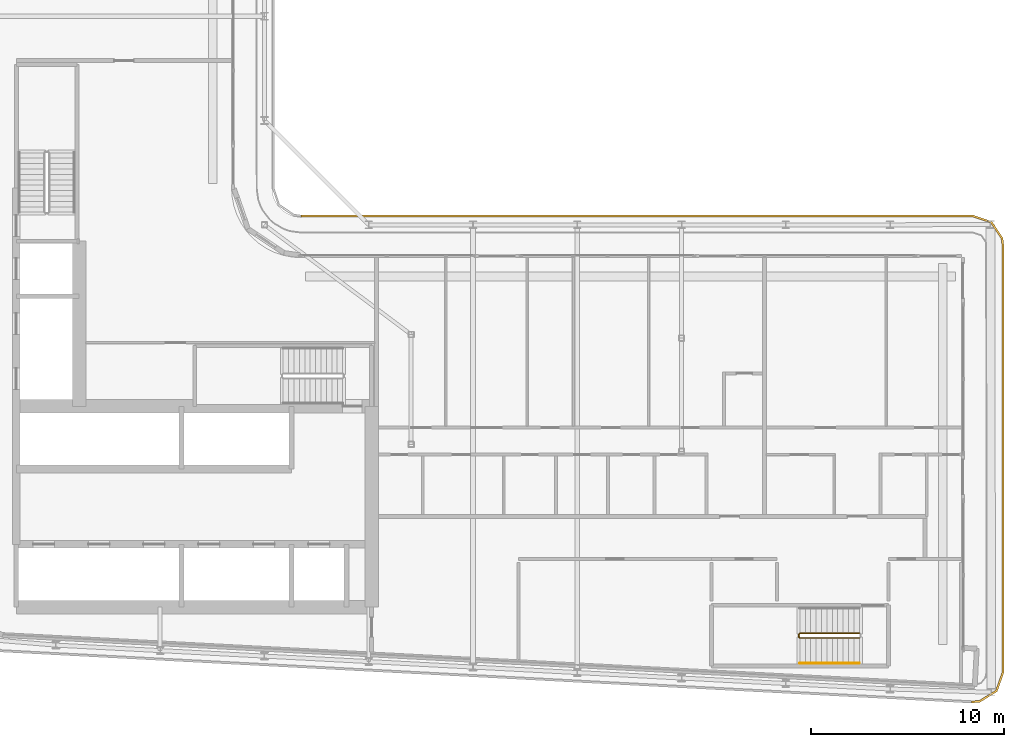
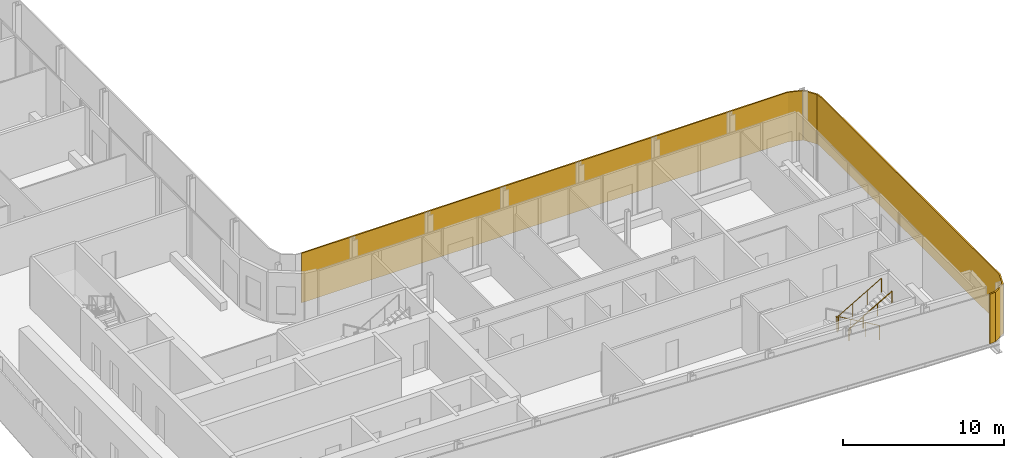
# One storey, part 17 of 21: 2 railings, 1 shading device.
"""IFC4 building model written with IfcOpenShell, lengths in metres."""

from ifc_helpers import new_model, si_unit, direction, frame, origin, origin_2d, place, context, subcontext, project, spatial, polyline, circle, outline, extrude, material, layer, layer_set, type_object, element, save


model = new_model("IFC4")

# Units and contexts
model_context = context("Model", 3, precision=1e-05, world=origin(), true_north=direction((0.0, 1.0)))
body_context = subcontext(model_context, "Body", "Model", "MODEL_VIEW")
ifc_project = project(units=[si_unit("LENGTHUNIT", "METRE"), si_unit("AREAUNIT", "SQUARE_METRE"), si_unit("VOLUMEUNIT", "CUBIC_METRE"), si_unit("PLANEANGLEUNIT", "RADIAN"), si_unit("MASSUNIT", "GRAM", prefix="KILO")], contexts=[model_context])

# Site, building, storey
site_placement = place(None, origin())
site = spatial("IfcSite", under=ifc_project, at=site_placement, CompositionType="ELEMENT")
building_placement = place(site_placement, origin())
building = spatial("IfcBuilding", under=site, at=building_placement, Name="Kheshtan School and Residences Tower", CompositionType="ELEMENT")
storey_placement = place(building_placement, frame((0.0, 0.0, 224.0)))
storey = spatial("IfcBuildingStorey", under=building, at=storey_placement, Name="L52", CompositionType="ELEMENT", Elevation=224.0)

# Shading device
ifc_material_1 = material(Name="Terracotta lattice, extruded ceramic", Category="masonry")
ifc_layer = layer(ifc_material_1, 0.10009765625)
ifc_layer_set = layer_set([ifc_layer], Name="Loggia screen, terracotta lattice")
shading_device_type = type_object("IfcShadingDeviceType", Name="Loggia screen, terracotta lattice", PredefinedType="USERDEFINED", material=ifc_layer_set)
shading_device_placement = place(storey_placement, origin())
element("IfcShadingDevice", 1, at=shading_device_placement, inside=storey, type_object=shading_device_type, Name="Screen L52 2", ObjectType="SCREEN", PredefinedType="USERDEFINED", context=body_context, shape_type="SweptSolid", body=[
    extrude(outline(polyline([(49.5, 46.0), (84.300048828125, 46.0), (85.212890625, 45.68994140625), (85.7490234375, 44.887939453125), (85.800048828125, 44.5), (85.800048828125, 22.43408203125), (85.469970703125, 21.4951171875), (84.6240234375, 20.968994140625), (84.220947265625, 20.93603515625), (84.22900390625, 20.8359375), (84.656005859375, 20.87109375), (85.552978515625, 21.428955078125), (85.89990234375, 22.4169921875), (85.89990234375, 44.507080078125), (85.844970703125, 44.924072265625), (85.277099609375, 45.77392578125), (84.31689453125, 46.10009765625), (49.5, 46.10009765625), (49.5, 46.0)])), origin(), (0.0, 0.0, 1.0), 3.75),
])

# Railings
ifc_material_2 = material(Name="Stainless steel balustrade", Category="steel")
railing_type_1 = type_object("IfcRailingType", Name="Stair guard 1100", PredefinedType="GUARDRAIL", material=ifc_material_2)
railing_1_placement = place(storey_placement, frame((78.409912109375, 24.449951171875, 0.16259765625)))
element("IfcRailing", 2, at=railing_1_placement, inside=storey, type_object=railing_type_1, Name="L52 ST5 stair guard 1", PredefinedType="GUARDRAIL", context=body_context, shape_type="SweptSolid", body=[
    extrude(circle(Radius=0.02392578125, at=origin_2d()), frame((0.0, 0.0, 1.076171875), z_axis=(-0.864903211148, 0.0, 0.501938676878), x_axis=(0.0, -1.0, 0.0)), (0.0, 0.0, 1.0), 3.560791015625),
    extrude(circle(Radius=0.02392578125, at=origin_2d()), frame((-3.079833984375, 0.0, 2.86328125), z_axis=(-0.707106781187, -0.707106781187, 0.0), x_axis=(0.707106781187, -0.707106781187, 0.0)), (0.0, 0.0, 1.0), 0.07080078125),
    extrude(circle(Radius=0.02392578125, at=origin_2d()), frame((-3.1298828125, -0.050048828125, 2.86328125), z_axis=(0.0, -1.0, 0.0), x_axis=(1.0, 0.0, 0.0)), (0.0, 0.0, 1.0), 0.14990234375),
    extrude(circle(Radius=0.02392578125, at=origin_2d()), frame((-3.1298828125, -0.199951171875, 2.86328125), z_axis=(0.282227285176, -0.282227285176, 0.916894497205), x_axis=(0.707106781187, 0.707106781187, 0.0)), (0.0, 0.0, 1.0), 0.17724609375),
    extrude(circle(Radius=0.02392578125, at=origin_2d()), frame((-3.079833984375, -0.25, 3.02587890625), z_axis=(0.864903211148, 0.0, 0.501938676878), x_axis=(0.0, 1.0, 0.0)), (0.0, 0.0, 1.0), 3.560791015625),
    extrude(circle(Radius=0.02099609375, at=origin_2d()), origin(), (0.0, 0.0, 1.0), 1.052001953125),
    extrude(circle(Radius=0.02099609375, at=origin_2d()), frame((-1.026611328125, 0.0, 0.595703125)), (0.0, 0.0, 1.0), 1.052001953125),
    extrude(circle(Radius=0.02099609375, at=origin_2d()), frame((-2.05322265625, 0.0, 1.191650390625)), (0.0, 0.0, 1.0), 1.052001953125),
    extrude(circle(Radius=0.02099609375, at=origin_2d()), frame((-3.079833984375, 0.0, 1.787353515625)), (0.0, 0.0, 1.0), 1.052001953125),
    extrude(circle(Radius=0.02099609375, at=origin_2d()), frame((-3.1298828125, -0.050048828125, 1.787353515625)), (0.0, 0.0, 1.0), 1.052001953125),
    extrude(circle(Radius=0.02099609375, at=origin_2d()), frame((-3.1298828125, -0.199951171875, 1.787353515625)), (0.0, 0.0, 1.0), 1.052001953125),
    extrude(circle(Radius=0.02099609375, at=origin_2d()), frame((-3.079833984375, -0.25, 1.949951171875)), (0.0, 0.0, 1.0), 1.052001953125),
    extrude(circle(Radius=0.02099609375, at=origin_2d()), frame((-2.05322265625, -0.25, 2.545654296875)), (0.0, 0.0, 1.0), 1.052001953125),
    extrude(circle(Radius=0.02099609375, at=origin_2d()), frame((-1.026611328125, -0.25, 3.1416015625)), (0.0, 0.0, 1.0), 1.052001953125),
    extrude(circle(Radius=0.02099609375, at=origin_2d()), frame((0.0, -0.25, 3.7373046875)), (0.0, 0.0, 1.0), 1.052001953125),
])
ifc_material_3 = material(Name="Stainless steel handrail", Category="steel")
railing_type_2 = type_object("IfcRailingType", Name="Stair handrail 900", PredefinedType="HANDRAIL", material=ifc_material_3)
railing_2_placement = place(storey_placement, frame((75.330078125, 22.89990234375, 2.112548828125)))
element("IfcRailing", 3, at=railing_2_placement, inside=storey, type_object=railing_type_2, Name="L52 ST5 stair handrail 2", PredefinedType="HANDRAIL", context=body_context, shape_type="SweptSolid", body=[
    extrude(circle(Radius=0.02392578125, at=origin_2d()), frame((0.0, 0.0, 0.8759765625), z_axis=(0.864903211148, 0.0, 0.501938676878), x_axis=(0.0, 1.0, 0.0)), (0.0, 0.0, 1.0), 3.560791015625),
    extrude(circle(Radius=0.02099609375, at=origin_2d()), origin(), (0.0, 0.0, 1.0), 0.851806640625),
    extrude(circle(Radius=0.02099609375, at=origin_2d()), frame((1.026611328125, 0.0, 0.595703125)), (0.0, 0.0, 1.0), 0.851806640625),
    extrude(circle(Radius=0.02099609375, at=origin_2d()), frame((2.05322265625, 0.0, 1.191650390625)), (0.0, 0.0, 1.0), 0.851806640625),
    extrude(circle(Radius=0.02099609375, at=origin_2d()), frame((3.079833984375, 0.0, 1.787353515625)), (0.0, 0.0, 1.0), 0.851806640625),
])

save(model, "model.ifc")
